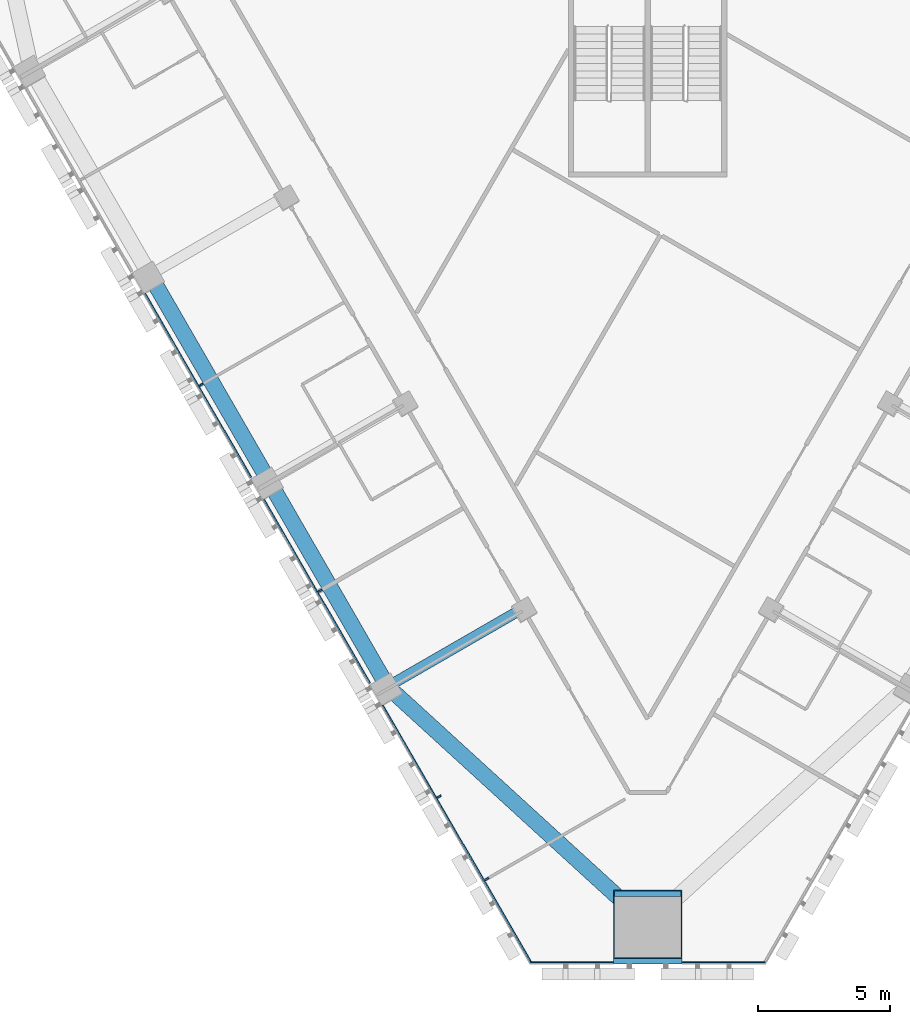
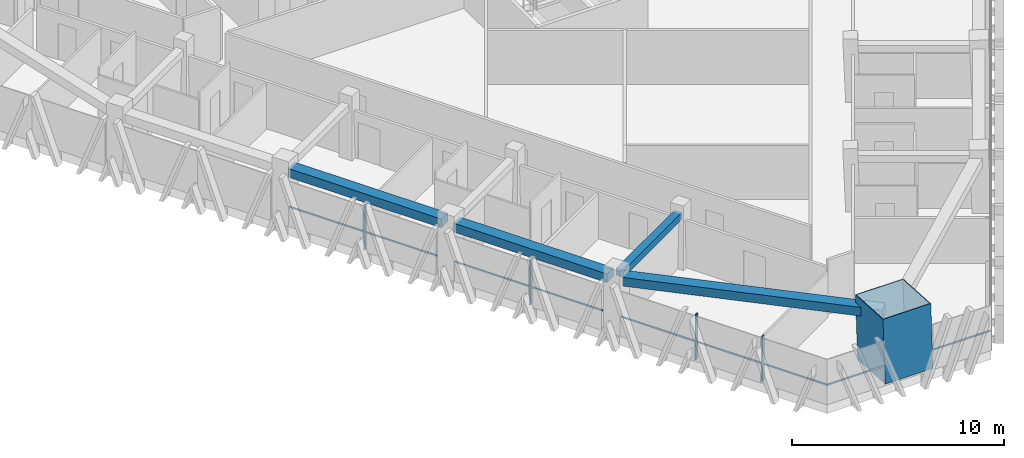
# One storey, part 2 of 16: 10 members, 4 beams, 2 elements without a shape of their own.
"""IFC4 building model written with IfcOpenShell, lengths in metres."""

from ifc_helpers import new_model, si_unit, direction, frame, origin, origin_2d, place, context, subcontext, project, spatial, rectangle, hollow_rectangle, extrude, material, layer, layer_set, material_profile, profile_set, type_object, element, aggregate, save


model = new_model("IFC4")

# Units and contexts
model_context = context("Model", 3, precision=1e-05, world=origin(), true_north=direction((0.0, 1.0)))
body_context = subcontext(model_context, "Body", "Model", "MODEL_VIEW")
ifc_project = project(units=[si_unit("LENGTHUNIT", "METRE"), si_unit("AREAUNIT", "SQUARE_METRE"), si_unit("VOLUMEUNIT", "CUBIC_METRE"), si_unit("PLANEANGLEUNIT", "RADIAN"), si_unit("MASSUNIT", "GRAM", prefix="KILO")], contexts=[model_context])

# Site, building, storey
site_placement = place(None, origin())
site = spatial("IfcSite", under=ifc_project, at=site_placement, CompositionType="ELEMENT")
building_placement = place(site_placement, origin())
building = spatial("IfcBuilding", under=site, at=building_placement, Name="Altiplano Prism Tower", CompositionType="ELEMENT")
storey_placement = place(building_placement, frame((0.0, 0.0, 77.39990234375)))
storey = spatial("IfcBuildingStorey", under=building, at=storey_placement, Name="L19", CompositionType="ELEMENT", Elevation=77.39990234375)

# Curtain wall, members
ifc_material_1 = material(Name="Aluminium and glass", Category="aluminium")
ifc_layer = layer(ifc_material_1, 0.280029296875)
ifc_layer_set = layer_set([ifc_layer], Name="Aluminium and glass")
curtain_wall_type = type_object("IfcCurtainWallType", Name="CW1 typical co-living unitised curtain wall", PredefinedType="NOTDEFINED", material=ifc_layer_set)
curtain_wall_1_placement = place(storey_placement, origin())
curtain_wall_1 = element("IfcCurtainWall", 1, at=curtain_wall_1_placement, inside=storey, type_object=curtain_wall_type, Name="CW1 curtain wall south-west face L19", PredefinedType="NOTDEFINED")
ifc_material_2 = material(Name="Aluminium", Category="aluminium")
ifc_material_profile_1 = material_profile(ifc_material_2, rectangle(XDim=0.179931640625, YDim=0.06494140625, at=origin_2d()), Name="CW1 mullion 65 x 180")
ifc_profile_set_1 = profile_set([ifc_material_profile_1], Name="Aluminium")
member_type_1 = type_object("IfcMemberType", Name="CW1 mullion 65 x 180", PredefinedType="MULLION", material=ifc_profile_set_1)
member_1_placement = place(storey_placement, frame((68.097900390625, 75.53466796875, 0.0), z_axis=(0.0, 0.0, 1.0), x_axis=(0.866025401193, 0.500000004489, 0.0)))
member_1 = element("IfcMember", 2, at=member_1_placement, type_object=member_type_1, Name="CW1 mullion", PredefinedType="MULLION", context=body_context, shape_type="SweptSolid", body=[
    extrude(rectangle(XDim=0.179931640625, YDim=0.06494140625, at=origin_2d()), origin(), (0.0, 0.0, 1.0), 2.60009765625),
])
member_2_placement = place(storey_placement, frame((72.597900390625, 67.740478515625, 0.0), z_axis=(0.0, 0.0, 1.0), x_axis=(0.866025401193, 0.500000004489, 0.0)))
member_2 = element("IfcMember", 3, at=member_2_placement, type_object=member_type_1, Name="CW1 mullion", PredefinedType="MULLION", context=body_context, shape_type="SweptSolid", body=[
    extrude(rectangle(XDim=0.179931640625, YDim=0.06494140625, at=origin_2d()), origin(), (0.0, 0.0, 1.0), 2.60009765625),
])
member_3_placement = place(storey_placement, frame((77.097900390625, 59.9462890625, 0.0), z_axis=(0.0, 0.0, 1.0), x_axis=(0.866025401193, 0.500000004489, 0.0)))
member_3 = element("IfcMember", 4, at=member_3_placement, type_object=member_type_1, Name="CW1 mullion", PredefinedType="MULLION", context=body_context, shape_type="SweptSolid", body=[
    extrude(rectangle(XDim=0.179931640625, YDim=0.06494140625, at=origin_2d()), origin(), (0.0, 0.0, 1.0), 2.60009765625),
])
member_4_placement = place(storey_placement, frame((78.900634765625, 56.82373046875, 0.0), z_axis=(0.0, 0.0, 1.0), x_axis=(0.866025401193, 0.500000004489, 0.0)))
member_4 = element("IfcMember", 5, at=member_4_placement, type_object=member_type_1, Name="CW1 mullion", PredefinedType="MULLION", context=body_context, shape_type="SweptSolid", body=[
    extrude(rectangle(XDim=0.179931640625, YDim=0.06494140625, at=origin_2d()), origin(), (0.0, 0.0, 1.0), 2.60009765625),
])
ifc_material_profile_2 = material_profile(ifc_material_2, rectangle(XDim=0.06005859375, YDim=0.080078125, at=origin_2d()), Name="CW1 transom 80 x 60")
ifc_profile_set_2 = profile_set([ifc_material_profile_2], Name="Aluminium")
member_type_2 = type_object("IfcMemberType", Name="CW1 transom 80 x 60", PredefinedType="USERDEFINED", material=ifc_profile_set_2)
member_5_placement = place(storey_placement, frame((65.96923828125, 78.9814453125, 1.10009765625), z_axis=(0.500012318566, -0.86601829154, 0.0), x_axis=(0.86601829154, 0.500012318566, 0.0)))
member_5 = element("IfcMember", 6, at=member_5_placement, type_object=member_type_2, Name="CW1 transom", ObjectType="TRANSOM", PredefinedType="USERDEFINED", context=body_context, shape_type="SweptSolid", body=[
    extrude(rectangle(XDim=0.06005859375, YDim=0.080078125, at=origin_2d()), origin(), (0.0, 0.0, 1.0), 8.019775390625),
])
member_6_placement = place(storey_placement, frame((70.46923828125, 71.187255859375, 1.10009765625), z_axis=(0.500012318566, -0.86601829154, 0.0), x_axis=(0.86601829154, 0.500012318566, 0.0)))
member_6 = element("IfcMember", 7, at=member_6_placement, type_object=member_type_2, Name="CW1 transom", ObjectType="TRANSOM", PredefinedType="USERDEFINED", context=body_context, shape_type="SweptSolid", body=[
    extrude(rectangle(XDim=0.06005859375, YDim=0.080078125, at=origin_2d()), origin(), (0.0, 0.0, 1.0), 8.019775390625),
])
member_7_placement = place(storey_placement, frame((74.96923828125, 63.39306640625, 1.10009765625), z_axis=(0.499998344576, -0.866026359542, 0.0), x_axis=(0.866026359542, 0.499998344576, 0.0)))
member_7 = element("IfcMember", 8, at=member_7_placement, type_object=member_type_2, Name="CW1 transom", ObjectType="TRANSOM", PredefinedType="USERDEFINED", context=body_context, shape_type="SweptSolid", body=[
    extrude(rectangle(XDim=0.06005859375, YDim=0.080078125, at=origin_2d()), origin(), (0.0, 0.0, 1.0), 11.26025390625),
])
aggregate(curtain_wall_1, [member_1, member_5, member_2, member_6, member_3, member_4, member_7])

curtain_wall_2_placement = place(storey_placement, origin())
curtain_wall_2 = element("IfcCurtainWall", 9, at=curtain_wall_2_placement, inside=storey, type_object=curtain_wall_type, Name="CW1 curtain wall south chamfer L19", PredefinedType="NOTDEFINED")
member_8_placement = place(storey_placement, frame((80.538818359375, 53.67626953125, 1.10009765625), z_axis=(1.0, 0.0, 0.0), x_axis=(0.0, 1.0, 0.0)))
member_8 = element("IfcMember", 10, at=member_8_placement, type_object=member_type_2, Name="CW1 transom", ObjectType="TRANSOM", PredefinedType="USERDEFINED", context=body_context, shape_type="SweptSolid", body=[
    extrude(rectangle(XDim=0.06005859375, YDim=0.080078125, at=origin_2d()), origin(), (0.0, 0.0, 1.0), 3.1611328125),
])
member_9_placement = place(storey_placement, frame((86.300048828125, 53.67626953125, 1.10009765625), z_axis=(1.0, 0.0, 0.0), x_axis=(0.0, 1.0, 0.0)))
member_9 = element("IfcMember", 11, at=member_9_placement, type_object=member_type_2, Name="CW1 transom", ObjectType="TRANSOM", PredefinedType="USERDEFINED", context=body_context, shape_type="SweptSolid", body=[
    extrude(rectangle(XDim=0.06005859375, YDim=0.080078125, at=origin_2d()), origin(), (0.0, 0.0, 1.0), 3.1611328125),
])
aggregate(curtain_wall_2, [member_8, member_9])

# Beams
ifc_material_3 = material(Name="Concrete C60/75", Category="concrete")
ifc_material_profile_3 = material_profile(ifc_material_3, rectangle(XDim=0.60009765625, YDim=0.5, at=origin_2d()), Name="Edge beam 600x500")
ifc_profile_set_3 = profile_set([ifc_material_profile_3], Name="Concrete C60/75")
beam_type_1 = type_object("IfcBeamType", Name="Edge beam 600x500", PredefinedType="SPANDREL", material=ifc_profile_set_3)
for number, where, z_axis, x_axis, name in (
    (12, (66.318115234375, 79.41455078125, 2.85009765625), (0.499992746786, -0.866029591389, 0.0), (0.866029591389, 0.499992746786, 0.0), "Edge beam P12-P13 L20"),
    (13, (70.818115234375, 71.620361328125, 2.85009765625), (0.499992746786, -0.866029591389, 0.0), (0.866029591389, 0.499992746786, 0.0), "Edge beam P13-P14 L20"),
):
    element("IfcBeam", number, at=place(storey_placement, frame(where, z_axis=z_axis, x_axis=x_axis)), inside=storey, type_object=beam_type_1, Name=name, PredefinedType="SPANDREL", context=body_context, shape_type="SweptSolid", body=[
        extrude(rectangle(XDim=0.60009765625, YDim=0.5, at=origin_2d()), origin(), (0.0, 0.0, 1.0), 8.33984375),
    ])
beam_1_placement = place(storey_placement, frame((75.4130859375, 63.87451171875, 2.85009765625), z_axis=(0.738308369815, -0.674463305941, 0.0), x_axis=(0.674463305941, 0.738308369815, 0.0)))
element("IfcBeam", 14, at=beam_1_placement, inside=storey, type_object=beam_type_1, Name="Edge beam P14-M1 L20", PredefinedType="SPANDREL", context=body_context, shape_type="SweptSolid", body=[
    extrude(rectangle(XDim=0.60009765625, YDim=0.5, at=origin_2d()), origin(), (0.0, 0.0, 1.0), 12.534912109375),
])

# Member
ifc_material_4 = material(Name="Steel S460", Category="steel")
ifc_material_profile_4 = material_profile(ifc_material_4, hollow_rectangle(XDim=2.60009765625, YDim=2.60009765625, WallThickness=0.0400390625, at=origin_2d()), Name="Mega column tube 2600")
ifc_profile_set_4 = profile_set([ifc_material_profile_4], Name="Steel S460")
member_type_3 = type_object("IfcMemberType", Name="Mega column tube 2600", PredefinedType="POST", material=ifc_profile_set_4)
member_10_placement = place(storey_placement, frame((85.0, 54.90625, 0.0), z_axis=(0.0, 0.058356907999, 0.998295783467), x_axis=(-1.0, 0.0, 0.0)))
element("IfcMember", 15, at=member_10_placement, inside=storey, type_object=member_type_3, Name="Mega column tube M1 L19", PredefinedType="POST", context=body_context, shape_type="SweptSolid", body=[
    extrude(hollow_rectangle(XDim=2.60009765625, YDim=2.60009765625, WallThickness=0.0400390625, at=origin_2d()), origin(), (0.0, 0.0, 1.0), 3.606201171875),
])

# Beam
ifc_material_profile_5 = material_profile(ifc_material_3, rectangle(XDim=0.39990234375, YDim=0.39990234375, at=origin_2d()), Name="Tie beam 400x400")
ifc_profile_set_5 = profile_set([ifc_material_profile_5], Name="Concrete C60/75")
beam_type_2 = type_object("IfcBeamType", Name="Tie beam 400x400", PredefinedType="BEAM", material=ifc_profile_set_5)
beam_2_placement = place(storey_placement, frame((80.193359375, 67.021728515625, 2.900146484375), z_axis=(-0.866042665983, -0.499970099802, 0.0), x_axis=(0.499970099802, -0.866042665983, 0.0)))
element("IfcBeam", 16, at=beam_2_placement, inside=storey, type_object=beam_type_2, Name="Tie beam I14 L20", PredefinedType="BEAM", context=body_context, shape_type="SweptSolid", body=[
    extrude(rectangle(XDim=0.39990234375, YDim=0.39990234375, at=origin_2d()), origin(), (0.0, 0.0, 1.0), 5.489990234375),
])

save(model, "model.ifc")
